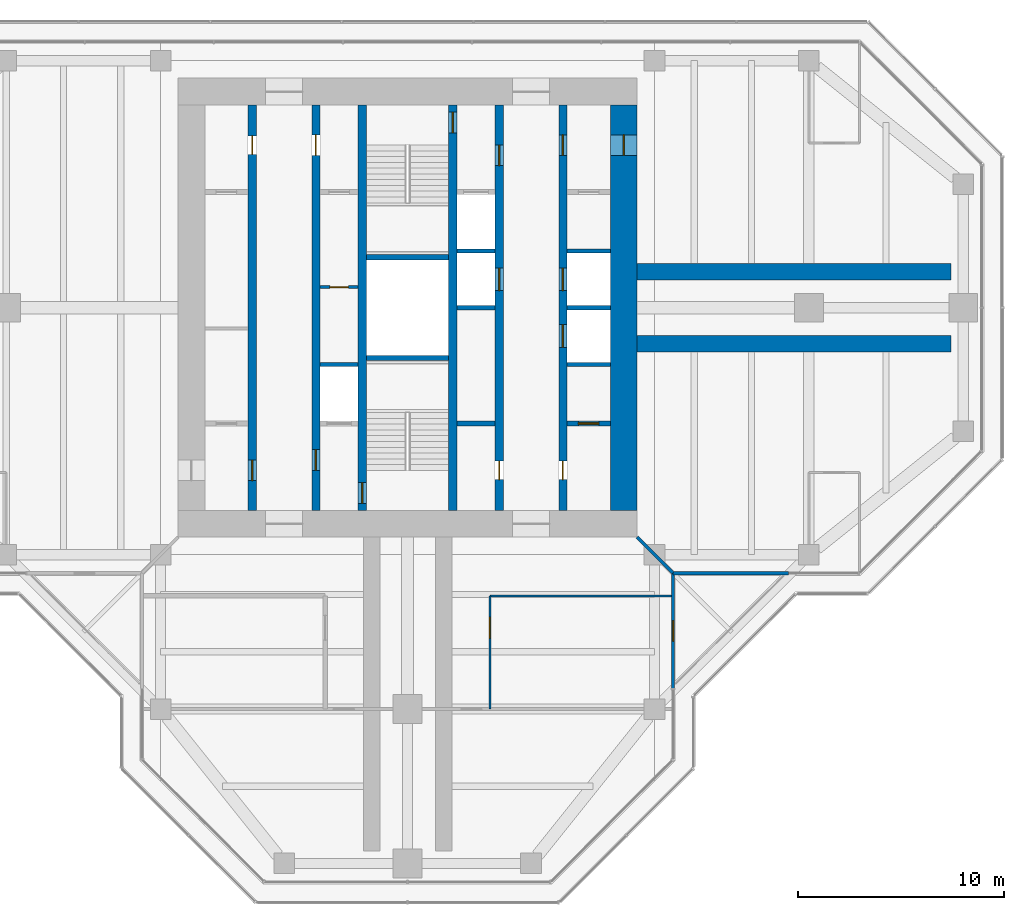
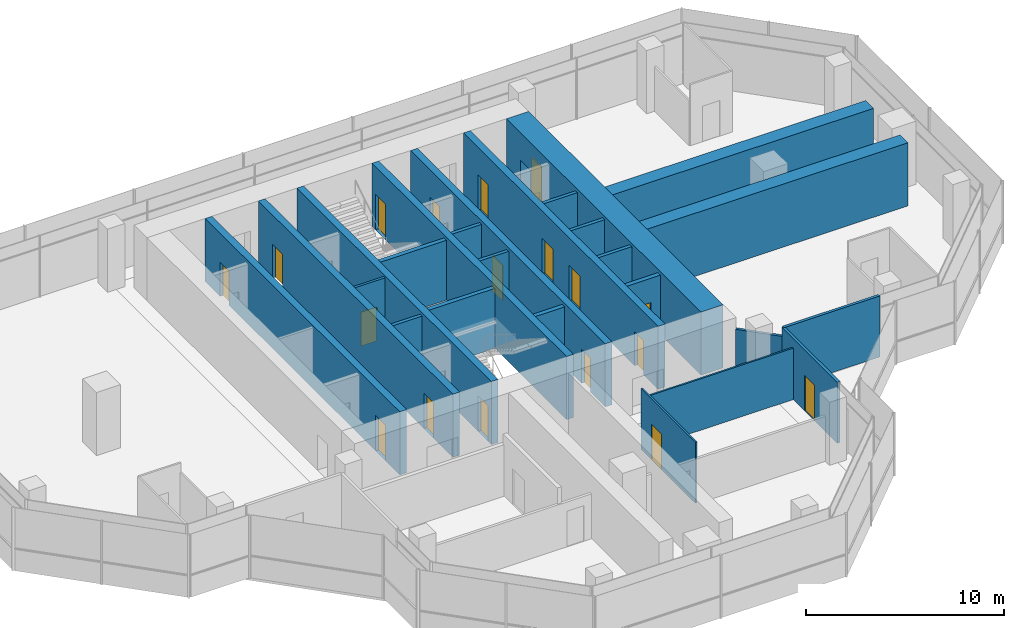
# One storey, part 12 of 15: 25 walls, 18 doors, 18 openings.
"""IFC4 building model written with IfcOpenShell, lengths in metres."""

from ifc_helpers import new_model, si_unit, direction, frame, frame_2d, origin, place, context, subcontext, project, spatial, rectangle, extrude, material, layer, layer_set, type_object, element, fill, save


model = new_model("IFC4")

# Units and contexts
model_context = context("Model", 3, precision=1e-05, world=origin(), true_north=direction((0.0, 1.0)))
body_context = subcontext(model_context, "Body", "Model", "MODEL_VIEW")
ifc_project = project(units=[si_unit("LENGTHUNIT", "METRE"), si_unit("AREAUNIT", "SQUARE_METRE"), si_unit("VOLUMEUNIT", "CUBIC_METRE"), si_unit("PLANEANGLEUNIT", "RADIAN"), si_unit("MASSUNIT", "GRAM", prefix="KILO")], contexts=[model_context])

# Site, building, storey
site_placement = place(None, origin())
site = spatial("IfcSite", under=ifc_project, at=site_placement, CompositionType="ELEMENT")
building_placement = place(site_placement, origin())
building = spatial("IfcBuilding", under=site, at=building_placement, Name="Mizan Broadcast Tower", CompositionType="ELEMENT")
storey_placement = place(building_placement, frame((0.0, 0.0, 279.0)))
storey = spatial("IfcBuildingStorey", under=building, at=storey_placement, Name="L66", CompositionType="ELEMENT", Elevation=279.0)

# Wall, openings, doors
ifc_material_1 = material(Name="Concrete C70/85", Category="concrete")
ifc_layer_1 = layer(ifc_material_1, 0.39990234375)
ifc_layer_set_1 = layer_set([ifc_layer_1], Name="Concrete C70/85")
wall_type_1 = type_object("IfcWallType", Name="CORE INTERNAL WALL 400", PredefinedType="SHEAR", material=ifc_layer_set_1)
wall_1_placement = place(storey_placement, frame((-7.550048828125, -9.85009765625, 0.0), z_axis=(0.0, 0.0, 1.0), x_axis=(0.0, 1.0, 0.0)))
wall_1 = element("IfcWall", 1, at=wall_1_placement, inside=storey, type_object=wall_type_1, Name="Core wall CORE/XW1", PredefinedType="SHEAR", context=body_context, shape_type="SweptSolid", body=[
    extrude(rectangle(XDim=19.7001953125, YDim=0.39990234375, at=frame_2d((9.85009765625, 0.0))), origin(), (0.0, 0.0, 1.0), 3.89990234375),
])
opening_1_placement = place(wall_1_placement, frame((1.449951171875, 0.0, 0.0)))
opening_1 = element("IfcOpeningElement", 2, at=opening_1_placement, cuts=wall_1, Name="Opening D10F", PredefinedType="OPENING", context=body_context, shape_type="SweptSolid", body=[
    extrude(rectangle(XDim=1.0, YDim=2.199951171875, at=frame_2d((0.5, 1.10009765625))), frame((0.0, 0.2099609375, 0.0), z_axis=(0.0, -1.0, 0.0), x_axis=(1.0, 0.0, 0.0)), (0.0, 0.0, 1.0), 0.419921875),
])
opening_2_placement = place(wall_1_placement, frame((17.300048828125, 0.0, 0.0)))
opening_2 = element("IfcOpeningElement", 3, at=opening_2_placement, cuts=wall_1, Name="Opening D09", PredefinedType="OPENING", context=body_context, shape_type="SweptSolid", body=[
    extrude(rectangle(XDim=0.89990234375, YDim=2.10009765625, at=frame_2d((0.449951171875, 1.050048828125))), frame((0.0, 0.2099609375, 0.0), z_axis=(0.0, -1.0, 0.0), x_axis=(1.0, 0.0, 0.0)), (0.0, 0.0, 1.0), 0.419921875),
])
ifc_material_2 = material(Name="Steel door leaf in steel frame", Category="steel")
door_type_1 = type_object("IfcDoorType", Name="FIRE DOOR 1000 FD90", OperationType="SINGLE_SWING_LEFT", PredefinedType="DOOR", material=ifc_material_2)
door_1_placement = place(opening_1_placement, origin())
door_1 = element("IfcDoor", 4, at=door_1_placement, inside=storey, type_object=door_type_1, Name="West core passage door", OperationType="SINGLE_SWING_LEFT", OverallHeight=2.199951171875, OverallWidth=1.0, PredefinedType="DOOR", context=body_context, shape_type="SweptSolid", body=[
    extrude(rectangle(XDim=1.0, YDim=2.199951171875, at=frame_2d((0.5, 1.10009765625))), frame((0.0, 0.02490234375, 0.0), z_axis=(0.0, -1.0, 0.0), x_axis=(1.0, 0.0, 0.0)), (0.0, 0.0, 1.0), 0.050048828125),
])
fill(opening_1, door_1)
ifc_material_3 = material(Name="Timber door leaf in aluminium frame", Category="wood")
door_type_2 = type_object("IfcDoorType", Name="TOILET DOOR 900", OperationType="SINGLE_SWING_LEFT", PredefinedType="DOOR", material=ifc_material_3)
door_2_placement = place(opening_2_placement, origin())
door_2 = element("IfcDoor", 5, at=door_2_placement, inside=storey, type_object=door_type_2, Name="Male WC door", OperationType="SINGLE_SWING_RIGHT", OverallHeight=2.10009765625, OverallWidth=0.89990234375, PredefinedType="DOOR", context=body_context, shape_type="SweptSolid", body=[
    extrude(rectangle(XDim=0.89990234375, YDim=2.10009765625, at=frame_2d((0.449951171875, 1.050048828125))), frame((0.0, 0.02490234375, 0.0), z_axis=(0.0, -1.0, 0.0), x_axis=(1.0, 0.0, 0.0)), (0.0, 0.0, 1.0), 0.050048828125),
])
fill(opening_2, door_2)

wall_2_placement = place(storey_placement, frame((7.550048828125, 9.85009765625, 0.0), z_axis=(0.0, 0.0, 1.0), x_axis=(0.0, -1.0, 0.0)))
wall_2 = element("IfcWall", 6, at=wall_2_placement, inside=storey, type_object=wall_type_1, Name="Core wall CORE/XW1E", PredefinedType="SHEAR", context=body_context, shape_type="SweptSolid", body=[
    extrude(rectangle(XDim=19.7001953125, YDim=0.39990234375, at=frame_2d((9.85009765625, 0.0))), origin(), (0.0, 0.0, 1.0), 3.89990234375),
])
opening_3_placement = place(wall_2_placement, frame((1.449951171875, 0.0, 0.0)))
opening_3 = element("IfcOpeningElement", 7, at=opening_3_placement, cuts=wall_2, Name="Opening D10F", PredefinedType="OPENING", context=body_context, shape_type="SweptSolid", body=[
    extrude(rectangle(XDim=1.0, YDim=2.199951171875, at=frame_2d((0.5, 1.10009765625))), frame((0.0, 0.2099609375, 0.0), z_axis=(0.0, -1.0, 0.0), x_axis=(1.0, 0.0, 0.0)), (0.0, 0.0, 1.0), 0.419921875),
])
opening_4_placement = place(wall_2_placement, frame((17.300048828125, 0.0, 0.0)))
opening_4 = element("IfcOpeningElement", 8, at=opening_4_placement, cuts=wall_2, Name="Opening D09", PredefinedType="OPENING", context=body_context, shape_type="SweptSolid", body=[
    extrude(rectangle(XDim=0.89990234375, YDim=2.10009765625, at=frame_2d((0.449951171875, 1.050048828125))), frame((0.0, 0.2099609375, 0.0), z_axis=(0.0, -1.0, 0.0), x_axis=(1.0, 0.0, 0.0)), (0.0, 0.0, 1.0), 0.419921875),
])
opening_5_placement = place(wall_2_placement, frame((7.925048828125, 0.0, 0.0)))
opening_5 = element("IfcOpeningElement", 9, at=opening_5_placement, cuts=wall_2, Name="Opening LD", PredefinedType="OPENING", context=body_context, shape_type="SweptSolid", body=[
    extrude(rectangle(XDim=1.10009765625, YDim=2.199951171875, at=frame_2d((0.550048828125, 1.10009765625))), frame((0.0, 0.2099609375, 0.0), z_axis=(0.0, -1.0, 0.0), x_axis=(1.0, 0.0, 0.0)), (0.0, 0.0, 1.0), 0.419921875),
])
opening_6_placement = place(wall_2_placement, frame((10.675048828125, 0.0, 0.0)))
opening_6 = element("IfcOpeningElement", 10, at=opening_6_placement, cuts=wall_2, Name="Opening LD", PredefinedType="OPENING", context=body_context, shape_type="SweptSolid", body=[
    extrude(rectangle(XDim=1.10009765625, YDim=2.199951171875, at=frame_2d((0.550048828125, 1.10009765625))), frame((0.0, 0.2099609375, 0.0), z_axis=(0.0, -1.0, 0.0), x_axis=(1.0, 0.0, 0.0)), (0.0, 0.0, 1.0), 0.419921875),
])
door_3_placement = place(opening_3_placement, origin())
door_3 = element("IfcDoor", 11, at=door_3_placement, inside=storey, type_object=door_type_1, Name="East core passage door", OperationType="SINGLE_SWING_LEFT", OverallHeight=2.199951171875, OverallWidth=1.0, PredefinedType="DOOR", context=body_context, shape_type="SweptSolid", body=[
    extrude(rectangle(XDim=1.0, YDim=2.199951171875, at=frame_2d((0.5, 1.10009765625))), frame((0.0, 0.02490234375, 0.0), z_axis=(0.0, -1.0, 0.0), x_axis=(1.0, 0.0, 0.0)), (0.0, 0.0, 1.0), 0.050048828125),
])
fill(opening_3, door_3)
ifc_material_4 = material(Name="Steel door leaf in steel frame", Category="steel")
door_type_3 = type_object("IfcDoorType", Name="LIFT LANDING DOOR 1100", OperationType="SLIDING_TO_LEFT", PredefinedType="DOOR", material=ifc_material_4)
door_4_placement = place(opening_5_placement, origin())
door_4 = element("IfcDoor", 12, at=door_4_placement, inside=storey, type_object=door_type_3, Name="Landing door LD1", OperationType="SLIDING_TO_LEFT", OverallHeight=2.199951171875, OverallWidth=1.10009765625, PredefinedType="DOOR", context=body_context, shape_type="SweptSolid", body=[
    extrude(rectangle(XDim=1.10009765625, YDim=2.199951171875, at=frame_2d((0.550048828125, 1.10009765625))), frame((0.0, 0.02490234375, 0.0), z_axis=(0.0, -1.0, 0.0), x_axis=(1.0, 0.0, 0.0)), (0.0, 0.0, 1.0), 0.050048828125),
])
fill(opening_5, door_4)
door_5_placement = place(opening_6_placement, origin())
door_5 = element("IfcDoor", 13, at=door_5_placement, inside=storey, type_object=door_type_3, Name="Landing door LD2", OperationType="SLIDING_TO_LEFT", OverallHeight=2.199951171875, OverallWidth=1.10009765625, PredefinedType="DOOR", context=body_context, shape_type="SweptSolid", body=[
    extrude(rectangle(XDim=1.10009765625, YDim=2.199951171875, at=frame_2d((0.550048828125, 1.10009765625))), frame((0.0, 0.02490234375, 0.0), z_axis=(0.0, -1.0, 0.0), x_axis=(1.0, 0.0, 0.0)), (0.0, 0.0, 1.0), 0.050048828125),
])
fill(opening_6, door_5)
door_6_placement = place(opening_4_placement, origin())
door_6 = element("IfcDoor", 14, at=door_6_placement, inside=storey, type_object=door_type_2, Name="Female WC door", OperationType="SINGLE_SWING_RIGHT", OverallHeight=2.10009765625, OverallWidth=0.89990234375, PredefinedType="DOOR", context=body_context, shape_type="SweptSolid", body=[
    extrude(rectangle(XDim=0.89990234375, YDim=2.10009765625, at=frame_2d((0.449951171875, 1.050048828125))), frame((0.0, 0.02490234375, 0.0), z_axis=(0.0, -1.0, 0.0), x_axis=(1.0, 0.0, 0.0)), (0.0, 0.0, 1.0), 0.050048828125),
])
fill(opening_4, door_6)

wall_3_placement = place(storey_placement, frame((-4.449951171875, -9.85009765625, 0.0), z_axis=(0.0, 0.0, 1.0), x_axis=(0.0, 1.0, 0.0)))
wall_3 = element("IfcWall", 15, at=wall_3_placement, inside=storey, type_object=wall_type_1, Name="Core wall CORE/XWH", PredefinedType="SHEAR", context=body_context, shape_type="SweptSolid", body=[
    extrude(rectangle(XDim=19.7001953125, YDim=0.39990234375, at=frame_2d((9.85009765625, 0.0))), origin(), (0.0, 0.0, 1.0), 3.89990234375),
])
opening_7_placement = place(wall_3_placement, frame((1.949951171875, 0.0, 0.0)))
opening_7 = element("IfcOpeningElement", 16, at=opening_7_placement, cuts=wall_3, Name="Opening D10F", PredefinedType="OPENING", context=body_context, shape_type="SweptSolid", body=[
    extrude(rectangle(XDim=1.0, YDim=2.199951171875, at=frame_2d((0.5, 1.10009765625))), frame((0.0, 0.2099609375, 0.0), z_axis=(0.0, -1.0, 0.0), x_axis=(1.0, 0.0, 0.0)), (0.0, 0.0, 1.0), 0.419921875),
])
opening_8_placement = place(wall_3_placement, frame((17.25, 0.0, 0.0)))
opening_8 = element("IfcOpeningElement", 17, at=opening_8_placement, cuts=wall_3, Name="Opening D10A", PredefinedType="OPENING", context=body_context, shape_type="SweptSolid", body=[
    extrude(rectangle(XDim=1.0, YDim=2.10009765625, at=frame_2d((0.5, 1.050048828125))), frame((0.0, 0.2099609375, 0.0), z_axis=(0.0, -1.0, 0.0), x_axis=(1.0, 0.0, 0.0)), (0.0, 0.0, 1.0), 0.419921875),
])
ifc_material_5 = material(Name="Timber door leaf in aluminium frame", Category="wood")
door_type_4 = type_object("IfcDoorType", Name="ACCESSIBLE WC DOOR 1000", OperationType="SLIDING_TO_LEFT", PredefinedType="DOOR", material=ifc_material_5)
door_7_placement = place(opening_8_placement, origin())
door_7 = element("IfcDoor", 18, at=door_7_placement, inside=storey, type_object=door_type_4, Name="Accessible WC door", OperationType="SLIDING_TO_LEFT", OverallHeight=2.10009765625, OverallWidth=1.0, PredefinedType="DOOR", context=body_context, shape_type="SweptSolid", body=[
    extrude(rectangle(XDim=1.0, YDim=2.10009765625, at=frame_2d((0.5, 1.050048828125))), frame((0.0, 0.02490234375, 0.0), z_axis=(0.0, -1.0, 0.0), x_axis=(1.0, 0.0, 0.0)), (0.0, 0.0, 1.0), 0.050048828125),
])
fill(opening_8, door_7)
door_8_placement = place(opening_7_placement, origin())
door_8 = element("IfcDoor", 19, at=door_8_placement, inside=storey, type_object=door_type_1, Name="Firefighting lobby A door", OperationType="SINGLE_SWING_LEFT", OverallHeight=2.199951171875, OverallWidth=1.0, PredefinedType="DOOR", context=body_context, shape_type="SweptSolid", body=[
    extrude(rectangle(XDim=1.0, YDim=2.199951171875, at=frame_2d((0.5, 1.10009765625))), frame((0.0, 0.02490234375, 0.0), z_axis=(0.0, -1.0, 0.0), x_axis=(1.0, 0.0, 0.0)), (0.0, 0.0, 1.0), 0.050048828125),
])
fill(opening_7, door_8)

wall_4_placement = place(storey_placement, frame((4.449951171875, 9.85009765625, 0.0), z_axis=(0.0, 0.0, 1.0), x_axis=(0.0, -1.0, 0.0)))
wall_4 = element("IfcWall", 20, at=wall_4_placement, inside=storey, type_object=wall_type_1, Name="Core wall CORE/XWHE", PredefinedType="SHEAR", context=body_context, shape_type="SweptSolid", body=[
    extrude(rectangle(XDim=19.7001953125, YDim=0.39990234375, at=frame_2d((9.85009765625, 0.0))), origin(), (0.0, 0.0, 1.0), 3.89990234375),
])
opening_9_placement = place(wall_4_placement, frame((1.949951171875, 0.0, 0.0)))
opening_9 = element("IfcOpeningElement", 21, at=opening_9_placement, cuts=wall_4, Name="Opening D10F", PredefinedType="OPENING", context=body_context, shape_type="SweptSolid", body=[
    extrude(rectangle(XDim=1.0, YDim=2.199951171875, at=frame_2d((0.5, 1.10009765625))), frame((0.0, 0.2099609375, 0.0), z_axis=(0.0, -1.0, 0.0), x_axis=(1.0, 0.0, 0.0)), (0.0, 0.0, 1.0), 0.419921875),
])
opening_10_placement = place(wall_4_placement, frame((17.300048828125, 0.0, 0.0)))
opening_10 = element("IfcOpeningElement", 22, at=opening_10_placement, cuts=wall_4, Name="Opening D09", PredefinedType="OPENING", context=body_context, shape_type="SweptSolid", body=[
    extrude(rectangle(XDim=0.89990234375, YDim=2.10009765625, at=frame_2d((0.449951171875, 1.050048828125))), frame((0.0, 0.2099609375, 0.0), z_axis=(0.0, -1.0, 0.0), x_axis=(1.0, 0.0, 0.0)), (0.0, 0.0, 1.0), 0.419921875),
])
opening_11_placement = place(wall_4_placement, frame((7.925048828125, 0.0, 0.0)))
opening_11 = element("IfcOpeningElement", 23, at=opening_11_placement, cuts=wall_4, Name="Opening LD", PredefinedType="OPENING", context=body_context, shape_type="SweptSolid", body=[
    extrude(rectangle(XDim=1.10009765625, YDim=2.199951171875, at=frame_2d((0.550048828125, 1.10009765625))), frame((0.0, 0.2099609375, 0.0), z_axis=(0.0, -1.0, 0.0), x_axis=(1.0, 0.0, 0.0)), (0.0, 0.0, 1.0), 0.419921875),
])
door_9_placement = place(opening_9_placement, origin())
door_9 = element("IfcDoor", 24, at=door_9_placement, inside=storey, type_object=door_type_1, Name="Firefighting lobby B door", OperationType="SINGLE_SWING_LEFT", OverallHeight=2.199951171875, OverallWidth=1.0, PredefinedType="DOOR", context=body_context, shape_type="SweptSolid", body=[
    extrude(rectangle(XDim=1.0, YDim=2.199951171875, at=frame_2d((0.5, 1.10009765625))), frame((0.0, 0.02490234375, 0.0), z_axis=(0.0, -1.0, 0.0), x_axis=(1.0, 0.0, 0.0)), (0.0, 0.0, 1.0), 0.050048828125),
])
fill(opening_9, door_9)
door_10_placement = place(opening_11_placement, origin())
door_10 = element("IfcDoor", 25, at=door_10_placement, inside=storey, type_object=door_type_3, Name="Landing door LD3", OperationType="SLIDING_TO_LEFT", OverallHeight=2.199951171875, OverallWidth=1.10009765625, PredefinedType="DOOR", context=body_context, shape_type="SweptSolid", body=[
    extrude(rectangle(XDim=1.10009765625, YDim=2.199951171875, at=frame_2d((0.550048828125, 1.10009765625))), frame((0.0, 0.02490234375, 0.0), z_axis=(0.0, -1.0, 0.0), x_axis=(1.0, 0.0, 0.0)), (0.0, 0.0, 1.0), 0.050048828125),
])
fill(opening_11, door_10)
door_11_placement = place(opening_10_placement, origin())
door_11 = element("IfcDoor", 26, at=door_11_placement, inside=storey, type_object=door_type_2, Name="Cleaner's store door", OperationType="SINGLE_SWING_RIGHT", OverallHeight=2.10009765625, OverallWidth=0.89990234375, PredefinedType="DOOR", context=body_context, shape_type="SweptSolid", body=[
    extrude(rectangle(XDim=0.89990234375, YDim=2.10009765625, at=frame_2d((0.449951171875, 1.050048828125))), frame((0.0, 0.02490234375, 0.0), z_axis=(0.0, -1.0, 0.0), x_axis=(1.0, 0.0, 0.0)), (0.0, 0.0, 1.0), 0.050048828125),
])
fill(opening_10, door_11)

# Wall, opening, door
wall_5_placement = place(storey_placement, frame((-2.199951171875, -9.85009765625, 0.0), z_axis=(0.0, 0.0, 1.0), x_axis=(0.0, 1.0, 0.0)))
wall_5 = element("IfcWall", 27, at=wall_5_placement, inside=storey, type_object=wall_type_1, Name="Core wall CORE/XW2", PredefinedType="SHEAR", context=body_context, shape_type="SweptSolid", body=[
    extrude(rectangle(XDim=19.7001953125, YDim=0.39990234375, at=frame_2d((9.85009765625, 0.0))), origin(), (0.0, 0.0, 1.0), 3.89990234375),
])
opening_12_placement = place(wall_5_placement, frame((0.35009765625, 0.0, 0.0)))
opening_12 = element("IfcOpeningElement", 28, at=opening_12_placement, cuts=wall_5, Name="Opening D10S", PredefinedType="OPENING", context=body_context, shape_type="SweptSolid", body=[
    extrude(rectangle(XDim=1.0, YDim=2.199951171875, at=frame_2d((0.5, 1.10009765625))), frame((0.0, 0.2099609375, 0.0), z_axis=(0.0, -1.0, 0.0), x_axis=(1.0, 0.0, 0.0)), (0.0, 0.0, 1.0), 0.419921875),
])
ifc_material_6 = material(Name="Steel door leaf in steel frame", Category="steel")
door_type_5 = type_object("IfcDoorType", Name="STAIR DOOR 1000 FD90S", OperationType="SINGLE_SWING_RIGHT", PredefinedType="DOOR", material=ifc_material_6)
door_12_placement = place(opening_12_placement, origin())
door_12 = element("IfcDoor", 29, at=door_12_placement, inside=storey, type_object=door_type_5, Name="Stair A door", OperationType="SINGLE_SWING_RIGHT", OverallHeight=2.199951171875, OverallWidth=1.0, PredefinedType="DOOR", context=body_context, shape_type="SweptSolid", body=[
    extrude(rectangle(XDim=1.0, YDim=2.199951171875, at=frame_2d((0.5, 1.10009765625))), frame((0.0, 0.02490234375, 0.0), z_axis=(0.0, -1.0, 0.0), x_axis=(1.0, 0.0, 0.0)), (0.0, 0.0, 1.0), 0.050048828125),
])
fill(opening_12, door_12)

wall_6_placement = place(storey_placement, frame((2.199951171875, 9.85009765625, 0.0), z_axis=(0.0, 0.0, 1.0), x_axis=(0.0, -1.0, 0.0)))
wall_6 = element("IfcWall", 30, at=wall_6_placement, inside=storey, type_object=wall_type_1, Name="Core wall CORE/XW2E", PredefinedType="SHEAR", context=body_context, shape_type="SweptSolid", body=[
    extrude(rectangle(XDim=19.7001953125, YDim=0.39990234375, at=frame_2d((9.85009765625, 0.0))), origin(), (0.0, 0.0, 1.0), 3.89990234375),
])
opening_13_placement = place(wall_6_placement, frame((0.35009765625, 0.0, 0.0)))
opening_13 = element("IfcOpeningElement", 31, at=opening_13_placement, cuts=wall_6, Name="Opening D10S", PredefinedType="OPENING", context=body_context, shape_type="SweptSolid", body=[
    extrude(rectangle(XDim=1.0, YDim=2.199951171875, at=frame_2d((0.5, 1.10009765625))), frame((0.0, 0.2099609375, 0.0), z_axis=(0.0, -1.0, 0.0), x_axis=(1.0, 0.0, 0.0)), (0.0, 0.0, 1.0), 0.419921875),
])
door_13_placement = place(opening_13_placement, origin())
door_13 = element("IfcDoor", 32, at=door_13_placement, inside=storey, type_object=door_type_5, Name="Stair B door", OperationType="SINGLE_SWING_RIGHT", OverallHeight=2.199951171875, OverallWidth=1.0, PredefinedType="DOOR", context=body_context, shape_type="SweptSolid", body=[
    extrude(rectangle(XDim=1.0, YDim=2.199951171875, at=frame_2d((0.5, 1.10009765625))), frame((0.0, 0.02490234375, 0.0), z_axis=(0.0, -1.0, 0.0), x_axis=(1.0, 0.0, 0.0)), (0.0, 0.0, 1.0), 0.050048828125),
])
fill(opening_13, door_13)

ifc_material_7 = material(Name="Concrete blockwork", Category="masonry")
ifc_layer_2 = layer(ifc_material_7, 0.14990234375)
ifc_layer_set_2 = layer_set([ifc_layer_2], Name="Concrete blockwork")
wall_type_2 = type_object("IfcWallType", Name="CORE PARTITION 150", PredefinedType="SOLIDWALL", material=ifc_layer_set_2)
wall_7_placement = place(storey_placement, frame((-4.25, 1.0, 0.0), z_axis=(0.0, 0.0, 1.0), x_axis=(1.0, 0.0, 0.0)))
wall_7 = element("IfcWall", 33, at=wall_7_placement, inside=storey, type_object=wall_type_2, Name="Core partition CORE/XP2", PredefinedType="SOLIDWALL", context=body_context, shape_type="SweptSolid", body=[
    extrude(rectangle(XDim=1.85009765625, YDim=0.14990234375, at=frame_2d((0.925048828125, 0.0))), origin(), (0.0, 0.0, 1.0), 3.77001953125),
])
opening_14_placement = place(wall_7_placement, frame((0.47509765625, 0.0, 0.0)))
opening_14 = element("IfcOpeningElement", 34, at=opening_14_placement, cuts=wall_7, Name="Opening D09F", PredefinedType="OPENING", context=body_context, shape_type="SweptSolid", body=[
    extrude(rectangle(XDim=0.89990234375, YDim=2.10009765625, at=frame_2d((0.449951171875, 1.050048828125))), frame((0.0, 0.0849609375, 0.0), z_axis=(0.0, -1.0, 0.0), x_axis=(1.0, 0.0, 0.0)), (0.0, 0.0, 1.0), 0.169921875),
])
ifc_material_8 = material(Name="Steel door leaf in steel frame", Category="steel")
door_type_6 = type_object("IfcDoorType", Name="CORE ROOM DOOR 900 FD90", OperationType="SINGLE_SWING_LEFT", PredefinedType="DOOR", material=ifc_material_8)
door_14_placement = place(opening_14_placement, origin())
door_14 = element("IfcDoor", 35, at=door_14_placement, inside=storey, type_object=door_type_6, Name="Accessible changing room door", OperationType="SINGLE_SWING_RIGHT", OverallHeight=2.10009765625, OverallWidth=0.89990234375, PredefinedType="DOOR", context=body_context, shape_type="SweptSolid", body=[
    extrude(rectangle(XDim=0.89990234375, YDim=2.10009765625, at=frame_2d((0.449951171875, 1.050048828125))), frame((0.0, 0.02490234375, 0.0), z_axis=(0.0, -1.0, 0.0), x_axis=(1.0, 0.0, 0.0)), (0.0, 0.0, 1.0), 0.050048828125),
])
fill(opening_14, door_14)

ifc_material_9 = material(Name="Concrete C70/85", Category="concrete")
ifc_layer_3 = layer(ifc_material_9, 1.300048828125)
ifc_layer_set_3 = layer_set([ifc_layer_3], Name="Concrete C70/85")
wall_type_3 = type_object("IfcWallType", Name="CORE WALL 1300", PredefinedType="SHEAR", material=ifc_layer_set_3)
wall_8_placement = place(storey_placement, frame((10.5, -9.85009765625, 0.0), z_axis=(0.0, 0.0, 1.0), x_axis=(0.0, 1.0, 0.0)))
wall_8 = element("IfcWall", 36, at=wall_8_placement, inside=storey, type_object=wall_type_3, Name="Core wall E L66", PredefinedType="SHEAR", context=body_context, shape_type="SweptSolid", body=[
    extrude(rectangle(XDim=19.7001953125, YDim=1.300048828125, at=frame_2d((9.85009765625, 0.0))), origin(), (0.0, 0.0, 1.0), 3.89990234375),
])
opening_15_placement = place(wall_8_placement, frame((17.25, 0.0, 0.0)))
opening_15 = element("IfcOpeningElement", 37, at=opening_15_placement, cuts=wall_8, Name="Opening D10F", PredefinedType="OPENING", context=body_context, shape_type="SweptSolid", body=[
    extrude(rectangle(XDim=1.0, YDim=2.199951171875, at=frame_2d((0.5, 1.10009765625))), frame((0.0, 0.659912109375, 0.0), z_axis=(0.0, -1.0, 0.0), x_axis=(1.0, 0.0, 0.0)), (0.0, 0.0, 1.0), 1.320068359375),
])
door_15_placement = place(opening_15_placement, origin())
door_15 = element("IfcDoor", 38, at=door_15_placement, inside=storey, type_object=door_type_1, Name="East core passage arm door", OperationType="SINGLE_SWING_RIGHT", OverallHeight=2.199951171875, OverallWidth=1.0, PredefinedType="DOOR", context=body_context, shape_type="SweptSolid", body=[
    extrude(rectangle(XDim=1.0, YDim=2.199951171875, at=frame_2d((0.5, 1.10009765625))), frame((0.0, 0.02490234375, 0.0), z_axis=(0.0, -1.0, 0.0), x_axis=(1.0, 0.0, 0.0)), (0.0, 0.0, 1.0), 0.050048828125),
])
fill(opening_15, door_15)

# Wall
ifc_material_10 = material(Name="Aluminium framed glazed screen", Category="aluminium")
ifc_layer_4 = layer(ifc_material_10, 0.159912109375)
ifc_layer_set_4 = layer_set([ifc_layer_4], Name="Aluminium framed glazed screen")
wall_type_4 = type_object("IfcWallType", Name="GLAZED SCREEN WALL 160", PredefinedType="SOLIDWALL", material=ifc_layer_set_4)
wall_9_placement = place(storey_placement, frame((12.89990234375, -12.89990234375, 0.0), z_axis=(0.0, 0.0, 1.0), x_axis=(1.0, 0.0, 0.0)))
element("IfcWall", 39, at=wall_9_placement, inside=storey, type_object=wall_type_4, Name="Winter garden screen L66 E", PredefinedType="SOLIDWALL", context=body_context, shape_type="SweptSolid", body=[
    extrude(rectangle(XDim=5.60009765625, YDim=0.159912109375, at=frame_2d((2.800048828125, 0.0))), origin(), (0.0, 0.0, 1.0), 3.77001953125),
])

# Wall, opening, door
wall_10_placement = place(storey_placement, frame((12.89990234375, -18.5, 0.0), z_axis=(0.0, 0.0, 1.0), x_axis=(0.0, 1.0, 0.0)))
wall_10 = element("IfcWall", 40, at=wall_10_placement, inside=storey, type_object=wall_type_4, Name="Winter garden screen L66 S", PredefinedType="SOLIDWALL", context=body_context, shape_type="SweptSolid", body=[
    extrude(rectangle(XDim=5.60009765625, YDim=0.159912109375, at=frame_2d((2.800048828125, 0.0))), origin(), (0.0, 0.0, 1.0), 3.77001953125),
])
opening_16_placement = place(wall_10_placement, frame((2.300048828125, 0.0, 0.0)))
opening_16 = element("IfcOpeningElement", 41, at=opening_16_placement, cuts=wall_10, Name="Opening WGD", PredefinedType="OPENING", context=body_context, shape_type="SweptSolid", body=[
    extrude(rectangle(XDim=1.0, YDim=2.199951171875, at=frame_2d((0.5, 1.10009765625))), frame((0.0, 0.08984375, 0.0), z_axis=(0.0, -1.0, 0.0), x_axis=(1.0, 0.0, 0.0)), (0.0, 0.0, 1.0), 0.179931640625),
])
ifc_material_11 = material(Name="Aluminium framed glazed door", Category="aluminium")
door_type_7 = type_object("IfcDoorType", Name="WINTER GARDEN DOOR 1000 GLAZED", OperationType="SINGLE_SWING_LEFT", PredefinedType="DOOR", material=ifc_material_11)
door_16_placement = place(opening_16_placement, origin())
door_16 = element("IfcDoor", 42, at=door_16_placement, inside=storey, type_object=door_type_7, Name="Winter garden door L66 S", OperationType="SINGLE_SWING_RIGHT", OverallHeight=2.199951171875, OverallWidth=1.0, PredefinedType="DOOR", context=body_context, shape_type="SweptSolid", body=[
    extrude(rectangle(XDim=1.0, YDim=2.199951171875, at=frame_2d((0.5, 1.10009765625))), frame((0.0, 0.02490234375, 0.0), z_axis=(0.0, -1.0, 0.0), x_axis=(1.0, 0.0, 0.0)), (0.0, 0.0, 1.0), 0.050048828125),
])
fill(opening_16, door_16)

# Walls
ifc_material_12 = material(Name="Concrete blockwork", Category="masonry")
ifc_layer_5 = layer(ifc_material_12, 0.199951171875)
ifc_layer_set_5 = layer_set([ifc_layer_5], Name="Concrete blockwork")
wall_type_5 = type_object("IfcWallType", Name="LIFT SHAFT WALL 200", PredefinedType="SOLIDWALL", material=ifc_layer_set_5)
wall_11_placement = place(storey_placement, frame((-4.25, -2.75, 0.0), z_axis=(0.0, 0.0, 1.0), x_axis=(1.0, 0.0, 0.0)))
element("IfcWall", 43, at=wall_11_placement, inside=storey, type_object=wall_type_5, Name="Lift shaft wall CORE/SW2-1", PredefinedType="SOLIDWALL", context=body_context, shape_type="SweptSolid", body=[
    extrude(rectangle(XDim=1.85009765625, YDim=0.199951171875, at=frame_2d((0.925048828125, 0.0))), origin(), (0.0, 0.0, 1.0), 3.699951171875),
])
wall_12_placement = place(storey_placement, frame((7.75, -2.75, 0.0), z_axis=(0.0, 0.0, 1.0), x_axis=(1.0, 0.0, 0.0)))
element("IfcWall", 44, at=wall_12_placement, inside=storey, type_object=wall_type_5, Name="Lift shaft wall CORE/SE1-1", PredefinedType="SOLIDWALL", context=body_context, shape_type="SweptSolid", body=[
    extrude(rectangle(XDim=2.10009765625, YDim=0.199951171875, at=frame_2d((1.050048828125, 0.0))), origin(), (0.0, 0.0, 1.0), 3.699951171875),
])
wall_13_placement = place(storey_placement, frame((2.39990234375, 0.0, 0.0), z_axis=(0.0, 0.0, 1.0), x_axis=(1.0, 0.0, 0.0)))
element("IfcWall", 45, at=wall_13_placement, inside=storey, type_object=wall_type_5, Name="Lift shaft wall CORE/SE2-2", PredefinedType="SOLIDWALL", context=body_context, shape_type="SweptSolid", body=[
    extrude(rectangle(XDim=1.85009765625, YDim=0.199951171875, at=frame_2d((0.925048828125, 0.0))), origin(), (0.0, 0.0, 1.0), 3.699951171875),
])
wall_14_placement = place(storey_placement, frame((7.75, 0.0, 0.0), z_axis=(0.0, 0.0, 1.0), x_axis=(1.0, 0.0, 0.0)))
element("IfcWall", 46, at=wall_14_placement, inside=storey, type_object=wall_type_5, Name="Lift shaft wall CORE/SE1-2", PredefinedType="SOLIDWALL", context=body_context, shape_type="SweptSolid", body=[
    extrude(rectangle(XDim=2.10009765625, YDim=0.199951171875, at=frame_2d((1.050048828125, 0.0))), origin(), (0.0, 0.0, 1.0), 3.699951171875),
])
wall_15_placement = place(storey_placement, frame((2.39990234375, 2.75, 0.0), z_axis=(0.0, 0.0, 1.0), x_axis=(1.0, 0.0, 0.0)))
element("IfcWall", 47, at=wall_15_placement, inside=storey, type_object=wall_type_5, Name="Lift shaft wall CORE/SE2-3", PredefinedType="SOLIDWALL", context=body_context, shape_type="SweptSolid", body=[
    extrude(rectangle(XDim=1.85009765625, YDim=0.199951171875, at=frame_2d((0.925048828125, 0.0))), origin(), (0.0, 0.0, 1.0), 3.699951171875),
])
wall_16_placement = place(storey_placement, frame((7.75, 2.75, 0.0), z_axis=(0.0, 0.0, 1.0), x_axis=(1.0, 0.0, 0.0)))
element("IfcWall", 48, at=wall_16_placement, inside=storey, type_object=wall_type_5, Name="Lift shaft wall CORE/SE1-3", PredefinedType="SOLIDWALL", context=body_context, shape_type="SweptSolid", body=[
    extrude(rectangle(XDim=2.10009765625, YDim=0.199951171875, at=frame_2d((1.050048828125, 0.0))), origin(), (0.0, 0.0, 1.0), 3.699951171875),
])
ifc_material_13 = material(Name="Concrete blockwork", Category="masonry")
ifc_layer_6 = layer(ifc_material_13, 0.25)
ifc_layer_set_6 = layer_set([ifc_layer_6], Name="Concrete blockwork")
wall_type_6 = type_object("IfcWallType", Name="LOBBY ENCLOSURE WALL 250", PredefinedType="SOLIDWALL", material=ifc_layer_set_6)
wall_17_placement = place(storey_placement, frame((2.39990234375, -5.625, 0.0), z_axis=(0.0, 0.0, 1.0), x_axis=(1.0, 0.0, 0.0)))
element("IfcWall", 49, at=wall_17_placement, inside=storey, type_object=wall_type_6, Name="Lobby enclosure wall CORE/BE2S", PredefinedType="SOLIDWALL", context=body_context, shape_type="SweptSolid", body=[
    extrude(rectangle(XDim=1.85009765625, YDim=0.25, at=frame_2d((0.925048828125, 0.0))), origin(), (0.0, 0.0, 1.0), 3.699951171875),
])

# Wall, opening, door
wall_18_placement = place(storey_placement, frame((7.75, -5.625, 0.0), z_axis=(0.0, 0.0, 1.0), x_axis=(1.0, 0.0, 0.0)))
wall_18 = element("IfcWall", 50, at=wall_18_placement, inside=storey, type_object=wall_type_6, Name="Lobby enclosure wall CORE/BE1S", PredefinedType="SOLIDWALL", context=body_context, shape_type="SweptSolid", body=[
    extrude(rectangle(XDim=2.10009765625, YDim=0.25, at=frame_2d((1.050048828125, 0.0))), origin(), (0.0, 0.0, 1.0), 3.699951171875),
])
opening_17_placement = place(wall_18_placement, frame((0.550048828125, 0.0, 0.0)))
opening_17 = element("IfcOpeningElement", 51, at=opening_17_placement, cuts=wall_18, Name="Opening D10F", PredefinedType="OPENING", context=body_context, shape_type="SweptSolid", body=[
    extrude(rectangle(XDim=1.0, YDim=2.199951171875, at=frame_2d((0.5, 1.10009765625))), frame((0.0, 0.135009765625, 0.0), z_axis=(0.0, -1.0, 0.0), x_axis=(1.0, 0.0, 0.0)), (0.0, 0.0, 1.0), 0.27001953125),
])
door_17_placement = place(opening_17_placement, origin())
door_17 = element("IfcDoor", 52, at=door_17_placement, inside=storey, type_object=door_type_1, Name="Staff changing room door", OperationType="SINGLE_SWING_LEFT", OverallHeight=2.199951171875, OverallWidth=1.0, PredefinedType="DOOR", context=body_context, shape_type="SweptSolid", body=[
    extrude(rectangle(XDim=1.0, YDim=2.199951171875, at=frame_2d((0.5, 1.10009765625))), frame((0.0, 0.02490234375, 0.0), z_axis=(0.0, -1.0, 0.0), x_axis=(1.0, 0.0, 0.0)), (0.0, 0.0, 1.0), 0.050048828125),
])
fill(opening_17, door_17)

# Walls
for number, where, z_axis, x_axis, name in (
    (53, (-2.0, -2.449951171875, 0.0), (0.0, 0.0, 1.0), (1.0, 0.0, 0.0), "Lobby enclosure wall CORE/STA"),
    (54, (-2.0, 2.449951171875, 0.0), (0.0, 0.0, 1.0), (1.0, 0.0, 0.0), "Lobby enclosure wall CORE/STB"),
):
    element("IfcWall", number, at=place(storey_placement, frame(where, z_axis=z_axis, x_axis=x_axis)), inside=storey, type_object=wall_type_6, Name=name, PredefinedType="SOLIDWALL", context=body_context, shape_type="SweptSolid", body=[
        extrude(rectangle(XDim=4.0, YDim=0.25, at=frame_2d((2.0, 0.0))), origin(), (0.0, 0.0, 1.0), 3.699951171875),
    ])
ifc_material_14 = material(Name="Gypsum board on steel studs", Category="steel")
ifc_layer_7 = layer(ifc_material_14, 0.14990234375)
ifc_layer_set_7 = layer_set([ifc_layer_7], Name="Gypsum board on steel studs")
wall_type_7 = type_object("IfcWallType", Name="PARTITION 150", PredefinedType="PARTITIONING", material=ifc_layer_set_7)
wall_19_placement = place(storey_placement, frame((11.14990234375, -11.14990234375, 0.0), z_axis=(0.0, 0.0, 1.0), x_axis=(0.707106781187, -0.707106781187, 0.0)))
element("IfcWall", 55, at=wall_19_placement, inside=storey, type_object=wall_type_7, Name="Partition PT/DGES", PredefinedType="PARTITIONING", context=body_context, shape_type="SweptSolid", body=[
    extrude(rectangle(XDim=2.460693359375, YDim=0.14990234375, at=frame_2d((1.23046875, 0.0))), origin(), (0.0, 0.0, 1.0), 3.219970703125),
])

# Wall, opening, door
ifc_material_15 = material(Name="Glazed aluminium partition on aluminium track", Category="aluminium")
ifc_layer_8 = layer(ifc_material_15, 0.10009765625)
ifc_layer_set_8 = layer_set([ifc_layer_8], Name="Glazed aluminium partition on aluminium track")
wall_type_8 = type_object("IfcWallType", Name="PARTITION GLAZED OFFICE FRONT 100", PredefinedType="PARTITIONING", material=ifc_layer_set_8)
wall_20_placement = place(storey_placement, frame((4.0, -14.0, 0.0), z_axis=(0.0, 0.0, 1.0), x_axis=(0.0, -1.0, 0.0)))
wall_20 = element("IfcWall", 56, at=wall_20_placement, inside=storey, type_object=wall_type_8, Name="Glazed office front PT/SCP0", PredefinedType="PARTITIONING", context=body_context, shape_type="SweptSolid", body=[
    extrude(rectangle(XDim=5.5, YDim=0.10009765625, at=frame_2d((2.75, 0.0))), origin(), (0.0, 0.0, 1.0), 3.77001953125),
])
opening_18_placement = place(wall_20_placement, frame((1.050048828125, 0.0, 0.0)))
opening_18 = element("IfcOpeningElement", 57, at=opening_18_placement, cuts=wall_20, Name="Opening D10O", PredefinedType="OPENING", context=body_context, shape_type="SweptSolid", body=[
    extrude(rectangle(XDim=1.0, YDim=2.199951171875, at=frame_2d((0.5, 1.10009765625))), frame((0.0, 0.06005859375, 0.0), z_axis=(0.0, -1.0, 0.0), x_axis=(1.0, 0.0, 0.0)), (0.0, 0.0, 1.0), 0.1201171875),
])
ifc_material_16 = material(Name="Timber door leaf in aluminium frame", Category="wood")
door_type_8 = type_object("IfcDoorType", Name="OFFICE DOOR 1000 GLAZED", OperationType="SINGLE_SWING_LEFT", PredefinedType="DOOR", material=ifc_material_16)
door_18_placement = place(opening_18_placement, origin())
door_18 = element("IfcDoor", 58, at=door_18_placement, inside=storey, type_object=door_type_8, Name="Director's office door", OperationType="SINGLE_SWING_LEFT", OverallHeight=2.199951171875, OverallWidth=1.0, PredefinedType="DOOR", context=body_context, shape_type="SweptSolid", body=[
    extrude(rectangle(XDim=1.0, YDim=2.199951171875, at=frame_2d((0.5, 1.10009765625))), frame((0.0, 0.02490234375, 0.0), z_axis=(0.0, -1.0, 0.0), x_axis=(1.0, 0.0, 0.0)), (0.0, 0.0, 1.0), 0.050048828125),
])
fill(opening_18, door_18)

# Walls
wall_21_placement = place(storey_placement, frame((4.0, -14.0, 0.0), z_axis=(0.0, 0.0, 1.0), x_axis=(1.0, 0.0, 0.0)))
element("IfcWall", 59, at=wall_21_placement, inside=storey, type_object=wall_type_8, Name="Glazed office front PT/SQP1400", PredefinedType="PARTITIONING", context=body_context, shape_type="SweptSolid", body=[
    extrude(rectangle(XDim=8.820068359375, YDim=0.10009765625, at=frame_2d((4.41015625, 0.0))), origin(), (0.0, 0.0, 1.0), 3.179931640625),
])
ifc_material_17 = material(Name="Concrete C70/85", Category="concrete")
ifc_layer_9 = layer(ifc_material_17, 0.800048828125)
ifc_layer_set_9 = layer_set([ifc_layer_9], Name="Concrete C70/85")
wall_type_9 = type_object("IfcWallType", Name="SPINE WALL 800", PredefinedType="SHEAR", material=ifc_layer_set_9)
for number, where, z_axis, x_axis, name in (
    (60, (11.14990234375, -1.75, 0.0), (0.0, 0.0, 1.0), (1.0, 0.0, 0.0), "Spine wall ER L66"),
    (61, (11.14990234375, 1.75, 0.0), (0.0, 0.0, 1.0), (1.0, 0.0, 0.0), "Spine wall EL L66"),
):
    element("IfcWall", number, at=place(storey_placement, frame(where, z_axis=z_axis, x_axis=x_axis)), inside=storey, type_object=wall_type_9, Name=name, PredefinedType="SHEAR", context=body_context, shape_type="SweptSolid", body=[
        extrude(rectangle(XDim=15.25, YDim=0.800048828125, at=frame_2d((7.625, 0.0))), origin(), (0.0, 0.0, 1.0), 3.89990234375),
    ])

save(model, "model.ifc")
